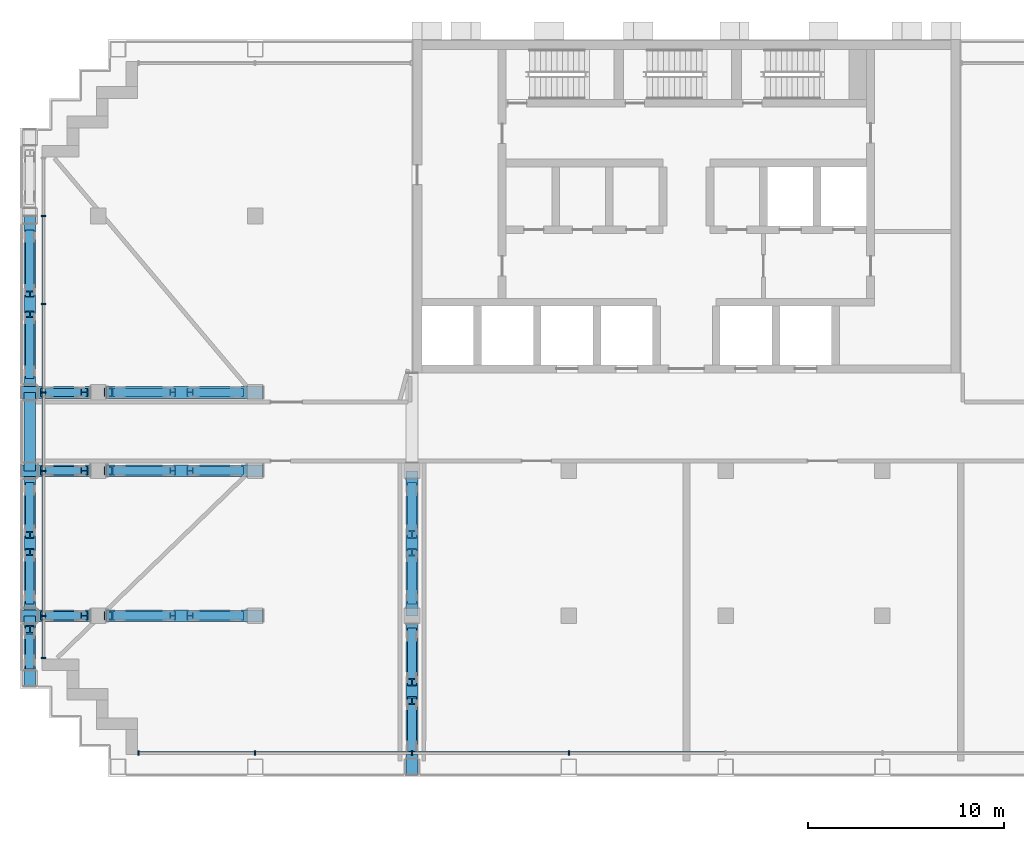
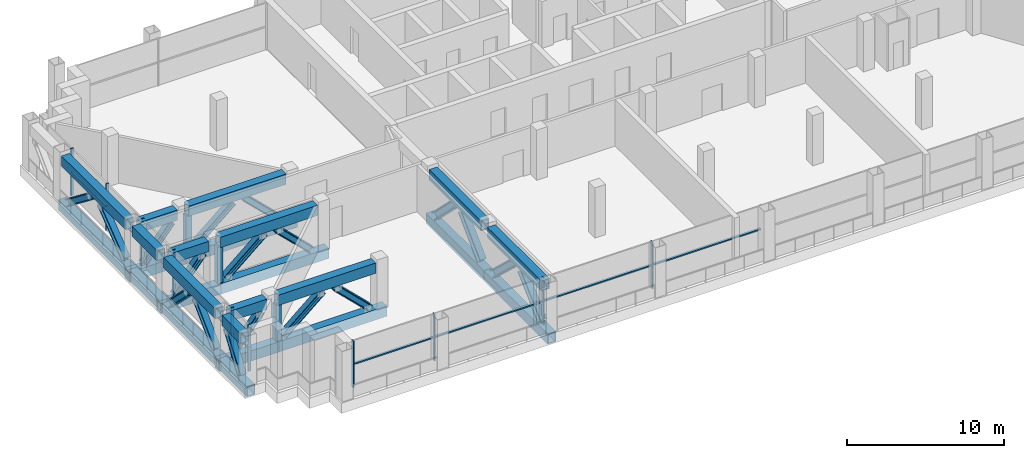
# One storey, part 2 of 25: 64 members, 2 elements without a shape of their own.
"""IFC4 building model written with IfcOpenShell, lengths in metres."""

from ifc_helpers import new_model, si_unit, direction, frame, origin, origin_2d, place, context, subcontext, project, spatial, rectangle, hollow_rectangle, i_section, extrude, material, material_profile, profile_set, type_object, element, aggregate, save


model = new_model("IFC4")

# Units and contexts
model_context = context("Model", 3, precision=1e-05, world=origin(), true_north=direction((0.0, 1.0)))
body_context = subcontext(model_context, "Body", "Model", "MODEL_VIEW")
ifc_project = project(units=[si_unit("LENGTHUNIT", "METRE"), si_unit("AREAUNIT", "SQUARE_METRE"), si_unit("VOLUMEUNIT", "CUBIC_METRE"), si_unit("PLANEANGLEUNIT", "RADIAN"), si_unit("MASSUNIT", "GRAM", prefix="KILO")], contexts=[model_context])

# Site, building, storey
site_placement = place(None, origin())
site = spatial("IfcSite", under=ifc_project, at=site_placement, CompositionType="ELEMENT")
building_placement = place(site_placement, origin())
building = spatial("IfcBuilding", under=site, at=building_placement, Name="Vidyagriha Tower", CompositionType="ELEMENT")
storey_placement = place(building_placement, frame((0.0, 0.0, 115.89990234375)))
storey = spatial("IfcBuildingStorey", under=building, at=storey_placement, Name="L29", CompositionType="ELEMENT", Elevation=115.89990234375)

# Members
ifc_material_1 = material(Name="Steel ASTM A572 Grade 50", Category="steel")
ifc_material_profile_1 = material_profile(ifc_material_1, hollow_rectangle(XDim=0.60009765625, YDim=0.800048828125, WallThickness=0.034912109375, at=origin_2d()), Name="BOX 800x600x35")
ifc_profile_set_1 = profile_set([ifc_material_profile_1], Name="Steel ASTM A572 Grade 50")
member_type_1 = type_object("IfcMemberType", Name="Belt truss chord BOX 800x600x35", PredefinedType="CHORD", material=ifc_profile_set_1)
member_1_placement = place(storey_placement, frame((-33.5, -13.0, -0.39990234375), z_axis=(0.0, 1.0, 0.0), x_axis=(-1.0, 0.0, 0.0)))
element("IfcMember", 1, at=member_1_placement, inside=storey, type_object=member_type_1, Name="st-truss-L29-B09-B00", PredefinedType="CHORD", context=body_context, shape_type="SweptSolid", body=[
    extrude(hollow_rectangle(XDim=0.60009765625, YDim=0.800048828125, WallThickness=0.034912109375, at=origin_2d()), origin(), (0.0, 0.0, 1.0), 3.60009765625),
])
member_2_placement = place(storey_placement, frame((-33.5, -12.180419921875, 3.22021484375), z_axis=(0.0, 1.0, 0.0), x_axis=(-1.0, 0.0, 0.0)))
element("IfcMember", 2, at=member_2_placement, inside=storey, type_object=member_type_1, Name="st-truss-L29-B09-T00", PredefinedType="CHORD", context=body_context, shape_type="SweptSolid", body=[
    extrude(hollow_rectangle(XDim=0.60009765625, YDim=0.800048828125, WallThickness=0.034912109375, at=origin_2d()), origin(), (0.0, 0.0, 1.0), 2.36083984375),
])
member_3_placement = place(storey_placement, frame((-33.5, -9.39990234375, -0.39990234375), z_axis=(0.0, 1.0, 0.0), x_axis=(-1.0, 0.0, 0.0)))
element("IfcMember", 3, at=member_3_placement, inside=storey, type_object=member_type_1, Name="st-truss-L29-B09-B01", PredefinedType="CHORD", context=body_context, shape_type="SweptSolid", body=[
    extrude(hollow_rectangle(XDim=0.60009765625, YDim=0.800048828125, WallThickness=0.034912109375, at=origin_2d()), origin(), (0.0, 0.0, 1.0), 7.39990234375),
])
member_4_placement = place(storey_placement, frame((-33.5, -8.98046875, 3.22021484375), z_axis=(0.0, 1.0, 0.0), x_axis=(-1.0, 0.0, 0.0)))
element("IfcMember", 4, at=member_4_placement, inside=storey, type_object=member_type_1, Name="st-truss-L29-B09-T01", PredefinedType="CHORD", context=body_context, shape_type="SweptSolid", body=[
    extrude(hollow_rectangle(XDim=0.60009765625, YDim=0.800048828125, WallThickness=0.034912109375, at=origin_2d()), origin(), (0.0, 0.0, 1.0), 6.56103515625),
])
member_5_placement = place(storey_placement, frame((-33.5, -2.0, -0.39990234375), z_axis=(0.0, 1.0, 0.0), x_axis=(-1.0, 0.0, 0.0)))
element("IfcMember", 5, at=member_5_placement, inside=storey, type_object=member_type_1, Name="st-truss-L29-B09-B02", PredefinedType="CHORD", context=body_context, shape_type="SweptSolid", body=[
    extrude(hollow_rectangle(XDim=0.60009765625, YDim=0.800048828125, WallThickness=0.034912109375, at=origin_2d()), origin(), (0.0, 0.0, 1.0), 4.0),
])
member_6_placement = place(storey_placement, frame((-33.5, -1.58056640625, 3.22021484375), z_axis=(0.0, 1.0, 0.0), x_axis=(-1.0, 0.0, 0.0)))
element("IfcMember", 6, at=member_6_placement, inside=storey, type_object=member_type_1, Name="st-truss-L29-B09-T02", PredefinedType="CHORD", context=body_context, shape_type="SweptSolid", body=[
    extrude(hollow_rectangle(XDim=0.60009765625, YDim=0.800048828125, WallThickness=0.034912109375, at=origin_2d()), origin(), (0.0, 0.0, 1.0), 3.1611328125),
])
member_7_placement = place(storey_placement, frame((-33.5, 2.0, -0.39990234375), z_axis=(0.0, 1.0, 0.0), x_axis=(-1.0, 0.0, 0.0)))
element("IfcMember", 7, at=member_7_placement, inside=storey, type_object=member_type_1, Name="st-truss-L29-B09-B03", PredefinedType="CHORD", context=body_context, shape_type="SweptSolid", body=[
    extrude(hollow_rectangle(XDim=0.60009765625, YDim=0.800048828125, WallThickness=0.034912109375, at=origin_2d()), origin(), (0.0, 0.0, 1.0), 8.98046875),
])
member_8_placement = place(storey_placement, frame((-33.5, 2.41943359375, 3.22021484375), z_axis=(0.0, 1.0, 0.0), x_axis=(-1.0, 0.0, 0.0)))
element("IfcMember", 8, at=member_8_placement, inside=storey, type_object=member_type_1, Name="st-truss-L29-B09-T03", PredefinedType="CHORD", context=body_context, shape_type="SweptSolid", body=[
    extrude(hollow_rectangle(XDim=0.60009765625, YDim=0.800048828125, WallThickness=0.034912109375, at=origin_2d()), origin(), (0.0, 0.0, 1.0), 8.1611328125),
])
ifc_material_2 = material(Name="Steel ASTM A913 Grade 65", Category="steel")
ifc_material_profile_2 = material_profile(ifc_material_2, i_section(OverallWidth=0.43701171875, OverallDepth=0.51318359375, WebThickness=0.046142578125, FlangeThickness=0.071533203125, at=origin_2d()), Name="W14X550")
ifc_profile_set_2 = profile_set([ifc_material_profile_2], Name="Steel ASTM A913 Grade 65")
member_type_2 = type_object("IfcMemberType", Name="Belt truss diagonal W14X550", PredefinedType="BRACE", material=ifc_profile_set_2)
member_9_placement = place(storey_placement, frame((-33.5, -11.894775390625, 0.1484375), z_axis=(0.0, 0.578509937621, 0.815675334967), x_axis=(-1.0, 0.0, 0.0)))
element("IfcMember", 9, at=member_9_placement, inside=storey, type_object=member_type_2, Name="st-truss-L29-B09-D000", PredefinedType="BRACE", context=body_context, shape_type="SweptSolid", body=[
    extrude(i_section(OverallWidth=0.43701171875, OverallDepth=0.51318359375, WebThickness=0.046142578125, FlangeThickness=0.071533203125, at=origin_2d()), origin(), (0.0, 0.0, 1.0), 3.09326171875),
])
for number, where, z_axis, x_axis, name in (
    (10, (-33.5, -8.61572265625, 0.182373046875), (0.0, 0.710838505182, 0.703355258423), (-1.0, 0.0, 0.0), "st-truss-L29-B09-D010"),
    (11, (-33.5, -5.265625, 2.6376953125), (0.0, 0.710838505182, -0.703355258423), (-1.0, 0.0, 0.0), "st-truss-L29-B09-D011"),
):
    element("IfcMember", number, at=place(storey_placement, frame(where, z_axis=z_axis, x_axis=x_axis)), inside=storey, type_object=member_type_2, Name=name, PredefinedType="BRACE", context=body_context, shape_type="SweptSolid", body=[
        extrude(i_section(OverallWidth=0.43701171875, OverallDepth=0.51318359375, WebThickness=0.046142578125, FlangeThickness=0.071533203125, at=origin_2d()), origin(), (0.0, 0.0, 1.0), 3.490966796875),
    ])
for number, where, z_axis, x_axis, name in (
    (12, (-33.5, 2.86279296875, 0.203125), (0.0, 0.791325794346, 0.611394706555), (-1.0, 0.0, 0.0), "st-truss-L29-B09-D030"),
    (13, (-33.5, 7.0126953125, 2.6171875), (0.0, 0.791325794346, -0.611394706555), (-1.0, 0.0, 0.0), "st-truss-L29-B09-D031"),
):
    element("IfcMember", number, at=place(storey_placement, frame(where, z_axis=z_axis, x_axis=x_axis)), inside=storey, type_object=member_type_2, Name=name, PredefinedType="BRACE", context=body_context, shape_type="SweptSolid", body=[
        extrude(i_section(OverallWidth=0.43701171875, OverallDepth=0.51318359375, WebThickness=0.046142578125, FlangeThickness=0.071533203125, at=origin_2d()), origin(), (0.0, 0.0, 1.0), 3.948486328125),
    ])

# Curtain wall, members
ifc_material_3 = material(Name="Aluminium and glass curtain wall", Category="aluminium")
curtain_wall_type = type_object("IfcCurtainWallType", Name="Plant louvre wall", PredefinedType="USERDEFINED", material=ifc_material_3)
curtain_wall_1_placement = place(storey_placement, origin())
curtain_wall_1 = element("IfcCurtainWall", 14, at=curtain_wall_1_placement, inside=storey, type_object=curtain_wall_type, Name="CW7 plant louvre wall", ObjectType="STICK GLAZING", PredefinedType="USERDEFINED")
ifc_material_4 = material(Name="Aluminium black anodised", Category="aluminium")
ifc_material_profile_3 = material_profile(ifc_material_4, rectangle(XDim=0.219970703125, YDim=0.080078125, at=origin_2d()), Name="Mullion 80x220 black aluminium")
ifc_profile_set_3 = profile_set([ifc_material_profile_3], Name="Aluminium black anodised")
member_type_3 = type_object("IfcMemberType", Name="Mullion 80x220 black aluminium", PredefinedType="MULLION", material=ifc_profile_set_3)
member_10_placement = place(storey_placement, frame((-32.800048828125, 11.0, 0.0)))
member_10 = element("IfcMember", 15, at=member_10_placement, type_object=member_type_3, Name="CW7 mullion 2", PredefinedType="MULLION", context=body_context, shape_type="SweptSolid", body=[
    extrude(rectangle(XDim=0.219970703125, YDim=0.080078125, at=origin_2d()), origin(), (0.0, 0.0, 1.0), 3.6201171875),
])
member_11_placement = place(storey_placement, frame((-32.800048828125, 6.5, 0.0)))
member_11 = element("IfcMember", 16, at=member_11_placement, type_object=member_type_3, Name="CW7 mullion 3", PredefinedType="MULLION", context=body_context, shape_type="SweptSolid", body=[
    extrude(rectangle(XDim=0.219970703125, YDim=0.080078125, at=origin_2d()), origin(), (0.0, 0.0, 1.0), 3.6201171875),
])
member_12_placement = place(storey_placement, frame((-32.800048828125, 2.0, 0.0)))
member_12 = element("IfcMember", 17, at=member_12_placement, type_object=member_type_3, Name="CW7 mullion 4", PredefinedType="MULLION", context=body_context, shape_type="SweptSolid", body=[
    extrude(rectangle(XDim=0.219970703125, YDim=0.080078125, at=origin_2d()), origin(), (0.0, 0.0, 1.0), 3.6201171875),
])
member_13_placement = place(storey_placement, frame((-32.800048828125, -2.0, 0.0)))
member_13 = element("IfcMember", 18, at=member_13_placement, type_object=member_type_3, Name="CW7 mullion 5", PredefinedType="MULLION", context=body_context, shape_type="SweptSolid", body=[
    extrude(rectangle(XDim=0.219970703125, YDim=0.080078125, at=origin_2d()), origin(), (0.0, 0.0, 1.0), 3.6201171875),
])
member_14_placement = place(storey_placement, frame((-32.800048828125, -9.39990234375, 0.0)))
member_14 = element("IfcMember", 19, at=member_14_placement, type_object=member_type_3, Name="CW7 mullion 6", PredefinedType="MULLION", context=body_context, shape_type="SweptSolid", body=[
    extrude(rectangle(XDim=0.219970703125, YDim=0.080078125, at=origin_2d()), origin(), (0.0, 0.0, 1.0), 3.6201171875),
])
member_15_placement = place(storey_placement, frame((-32.800048828125, -11.56005859375, 0.0)))
member_15 = element("IfcMember", 20, at=member_15_placement, type_object=member_type_3, Name="CW7 mullion 7", PredefinedType="MULLION", context=body_context, shape_type="SweptSolid", body=[
    extrude(rectangle(XDim=0.219970703125, YDim=0.080078125, at=origin_2d()), origin(), (0.0, 0.0, 1.0), 3.6201171875),
])

curtain_wall_2_placement = place(storey_placement, origin())
curtain_wall_2 = element("IfcCurtainWall", 21, at=curtain_wall_2_placement, inside=storey, type_object=curtain_wall_type, Name="CW7 plant louvre wall", ObjectType="STICK GLAZING", PredefinedType="USERDEFINED")
member_16_placement = place(storey_placement, frame((-27.9599609375, -16.39990234375, 0.0), z_axis=(0.0, 0.0, 1.0), x_axis=(0.0, 1.0, 0.0)))
member_16 = element("IfcMember", 22, at=member_16_placement, type_object=member_type_3, Name="CW7 mullion 1", PredefinedType="MULLION", context=body_context, shape_type="SweptSolid", body=[
    extrude(rectangle(XDim=0.219970703125, YDim=0.080078125, at=origin_2d()), origin(), (0.0, 0.0, 1.0), 3.6201171875),
])
member_17_placement = place(storey_placement, frame((-22.0, -16.39990234375, 0.0), z_axis=(0.0, 0.0, 1.0), x_axis=(0.0, 1.0, 0.0)))
member_17 = element("IfcMember", 23, at=member_17_placement, type_object=member_type_3, Name="CW7 mullion 2", PredefinedType="MULLION", context=body_context, shape_type="SweptSolid", body=[
    extrude(rectangle(XDim=0.219970703125, YDim=0.080078125, at=origin_2d()), origin(), (0.0, 0.0, 1.0), 3.6201171875),
])
member_18_placement = place(storey_placement, frame((-14.0, -16.39990234375, 0.0), z_axis=(0.0, 0.0, 1.0), x_axis=(0.0, 1.0, 0.0)))
member_18 = element("IfcMember", 24, at=member_18_placement, type_object=member_type_3, Name="CW7 mullion 3", PredefinedType="MULLION", context=body_context, shape_type="SweptSolid", body=[
    extrude(rectangle(XDim=0.219970703125, YDim=0.080078125, at=origin_2d()), origin(), (0.0, 0.0, 1.0), 3.6201171875),
])
member_19_placement = place(storey_placement, frame((-6.0, -16.39990234375, 0.0), z_axis=(0.0, 0.0, 1.0), x_axis=(0.0, 1.0, 0.0)))
member_19 = element("IfcMember", 25, at=member_19_placement, type_object=member_type_3, Name="CW7 mullion 4", PredefinedType="MULLION", context=body_context, shape_type="SweptSolid", body=[
    extrude(rectangle(XDim=0.219970703125, YDim=0.080078125, at=origin_2d()), origin(), (0.0, 0.0, 1.0), 3.6201171875),
])

# Members
ifc_material_5 = material(Name="Steel ASTM A572 Grade 50", Category="steel")
ifc_material_profile_4 = material_profile(ifc_material_5, hollow_rectangle(XDim=0.60009765625, YDim=0.800048828125, WallThickness=0.06005859375, at=origin_2d()), Name="BOX 800x600x60")
ifc_profile_set_4 = profile_set([ifc_material_profile_4], Name="Steel ASTM A572 Grade 50")
member_type_4 = type_object("IfcMemberType", Name="Outrigger truss chord BOX 800x600x60", PredefinedType="CHORD", material=ifc_profile_set_4)
member_20_placement = place(storey_placement, frame((-14.0, -17.5, -0.39990234375), z_axis=(0.0, 1.0, 0.0), x_axis=(-1.0, 0.0, 0.0)))
element("IfcMember", 26, at=member_20_placement, inside=storey, type_object=member_type_4, Name="st-truss-L29-O10-B00", PredefinedType="CHORD", context=body_context, shape_type="SweptSolid", body=[
    extrude(hollow_rectangle(XDim=0.60009765625, YDim=0.800048828125, WallThickness=0.06005859375, at=origin_2d()), origin(), (0.0, 0.0, 1.0), 8.10009765625),
])
member_21_placement = place(storey_placement, frame((-14.0, -16.680419921875, 3.22021484375), z_axis=(0.0, 1.0, 0.0), x_axis=(-1.0, 0.0, 0.0)))
element("IfcMember", 27, at=member_21_placement, inside=storey, type_object=member_type_4, Name="st-truss-L29-O10-T00", PredefinedType="CHORD", context=body_context, shape_type="SweptSolid", body=[
    extrude(hollow_rectangle(XDim=0.60009765625, YDim=0.800048828125, WallThickness=0.06005859375, at=origin_2d()), origin(), (0.0, 0.0, 1.0), 6.86083984375),
])
member_22_placement = place(storey_placement, frame((-14.0, -9.39990234375, -0.39990234375), z_axis=(0.0, 1.0, 0.0), x_axis=(-1.0, 0.0, 0.0)))
element("IfcMember", 28, at=member_22_placement, inside=storey, type_object=member_type_4, Name="st-truss-L29-O10-B01", PredefinedType="CHORD", context=body_context, shape_type="SweptSolid", body=[
    extrude(hollow_rectangle(XDim=0.60009765625, YDim=0.800048828125, WallThickness=0.06005859375, at=origin_2d()), origin(), (0.0, 0.0, 1.0), 7.39990234375),
])
member_23_placement = place(storey_placement, frame((-14.0, -8.98046875, 3.22021484375), z_axis=(0.0, 1.0, 0.0), x_axis=(-1.0, 0.0, 0.0)))
element("IfcMember", 29, at=member_23_placement, inside=storey, type_object=member_type_4, Name="st-truss-L29-O10-T01", PredefinedType="CHORD", context=body_context, shape_type="SweptSolid", body=[
    extrude(hollow_rectangle(XDim=0.60009765625, YDim=0.800048828125, WallThickness=0.06005859375, at=origin_2d()), origin(), (0.0, 0.0, 1.0), 6.56103515625),
])
ifc_material_6 = material(Name="Steel ASTM A913 Grade 65", Category="steel")
ifc_material_profile_5 = material_profile(ifc_material_6, i_section(OverallWidth=0.45458984375, OverallDepth=0.569091796875, WebThickness=0.0390625, FlangeThickness=0.077880859375, at=origin_2d()), Name="W14X730")
ifc_profile_set_5 = profile_set([ifc_material_profile_5], Name="Steel ASTM A913 Grade 65")
member_type_5 = type_object("IfcMemberType", Name="Outrigger truss diagonal W14X730", PredefinedType="BRACE", material=ifc_profile_set_5)
for number, where, z_axis, x_axis, name in (
    (30, (-14.0, -16.279541015625, 0.207275390625), (0.0, 0.728630444083, 0.684907056435), (-1.0, 0.0, 0.0), "st-truss-L29-O10-D000"),
    (31, (-14.0, -12.779541015625, 2.61279296875), (0.0, 0.728630444083, -0.684907056435), (-1.0, 0.0, 0.0), "st-truss-L29-O10-D001"),
):
    element("IfcMember", number, at=place(storey_placement, frame(where, z_axis=z_axis, x_axis=x_axis)), inside=storey, type_object=member_type_5, Name=name, PredefinedType="BRACE", context=body_context, shape_type="SweptSolid", body=[
        extrude(i_section(OverallWidth=0.45458984375, OverallDepth=0.569091796875, WebThickness=0.0390625, FlangeThickness=0.077880859375, at=origin_2d()), origin(), (0.0, 0.0, 1.0), 3.51220703125),
    ])
for number, where, z_axis, x_axis, name in (
    (32, (-14.0, -8.595703125, 0.202392578125), (0.0, 0.710864324893, 0.703329163049), (-1.0, 0.0, 0.0), "st-truss-L29-O10-D010"),
    (33, (-14.0, -5.24560546875, 2.617919921875), (0.0, 0.710829157766, -0.703364705164), (-1.0, 0.0, 0.0), "st-truss-L29-O10-D011"),
):
    element("IfcMember", number, at=place(storey_placement, frame(where, z_axis=z_axis, x_axis=x_axis)), inside=storey, type_object=member_type_5, Name=name, PredefinedType="BRACE", context=body_context, shape_type="SweptSolid", body=[
        extrude(i_section(OverallWidth=0.45458984375, OverallDepth=0.569091796875, WebThickness=0.0390625, FlangeThickness=0.077880859375, at=origin_2d()), origin(), (0.0, 0.0, 1.0), 3.434326171875),
    ])
ifc_material_7 = material(Name="Steel ASTM A572 Grade 50", Category="steel")
ifc_material_profile_6 = material_profile(ifc_material_7, hollow_rectangle(XDim=0.60009765625, YDim=0.800048828125, WallThickness=0.034912109375, at=origin_2d()), Name="BOX 800x600x35")
ifc_profile_set_6 = profile_set([ifc_material_profile_6], Name="Steel ASTM A572 Grade 50")
member_type_6 = type_object("IfcMemberType", Name="Transfer truss chord BOX 800x600x35", PredefinedType="CHORD", material=ifc_profile_set_6)
member_24_placement = place(storey_placement, frame((-33.89990234375, -9.39990234375, -0.39990234375), z_axis=(1.0, 0.0, 0.0), x_axis=(0.0, 1.0, 0.0)))
element("IfcMember", 34, at=member_24_placement, inside=storey, type_object=member_type_6, Name="st-truss-L29-T01-B00", PredefinedType="CHORD", context=body_context, shape_type="SweptSolid", body=[
    extrude(hollow_rectangle(XDim=0.60009765625, YDim=0.800048828125, WallThickness=0.034912109375, at=origin_2d()), origin(), (0.0, 0.0, 1.0), 4.38037109375),
])
member_25_placement = place(storey_placement, frame((-33.08056640625, -9.39990234375, 3.22021484375), z_axis=(1.0, 0.0, 0.0), x_axis=(0.0, 1.0, 0.0)))
element("IfcMember", 35, at=member_25_placement, inside=storey, type_object=member_type_6, Name="st-truss-L29-T01-T00", PredefinedType="CHORD", context=body_context, shape_type="SweptSolid", body=[
    extrude(hollow_rectangle(XDim=0.60009765625, YDim=0.800048828125, WallThickness=0.034912109375, at=origin_2d()), origin(), (0.0, 0.0, 1.0), 2.6611328125),
])
member_26_placement = place(storey_placement, frame((-29.574951171875, -9.39990234375, -0.39990234375), z_axis=(1.0, 0.0, 0.0), x_axis=(0.0, 1.0, 0.0)))
element("IfcMember", 36, at=member_26_placement, inside=storey, type_object=member_type_6, Name="st-truss-L29-T01-B02", PredefinedType="CHORD", context=body_context, shape_type="SweptSolid", body=[
    extrude(hollow_rectangle(XDim=0.60009765625, YDim=0.800048828125, WallThickness=0.034912109375, at=origin_2d()), origin(), (0.0, 0.0, 1.0), 7.974853515625),
])
member_27_placement = place(storey_placement, frame((-29.56494140625, -9.39990234375, 3.22021484375), z_axis=(1.0, 0.0, 0.0), x_axis=(0.0, 1.0, 0.0)))
element("IfcMember", 37, at=member_27_placement, inside=storey, type_object=member_type_6, Name="st-truss-L29-T01-T02", PredefinedType="CHORD", context=body_context, shape_type="SweptSolid", body=[
    extrude(hollow_rectangle(XDim=0.60009765625, YDim=0.800048828125, WallThickness=0.034912109375, at=origin_2d()), origin(), (0.0, 0.0, 1.0), 7.145751953125),
])
member_28_placement = place(storey_placement, frame((-33.89990234375, -2.0, -0.39990234375), z_axis=(1.0, 0.0, 0.0), x_axis=(0.0, 1.0, 0.0)))
element("IfcMember", 38, at=member_28_placement, inside=storey, type_object=member_type_6, Name="st-truss-L29-T03-B00", PredefinedType="CHORD", context=body_context, shape_type="SweptSolid", body=[
    extrude(hollow_rectangle(XDim=0.60009765625, YDim=0.800048828125, WallThickness=0.034912109375, at=origin_2d()), origin(), (0.0, 0.0, 1.0), 4.38037109375),
])
member_29_placement = place(storey_placement, frame((-33.08056640625, -2.0, 3.22021484375), z_axis=(1.0, 0.0, 0.0), x_axis=(0.0, 1.0, 0.0)))
element("IfcMember", 39, at=member_29_placement, inside=storey, type_object=member_type_6, Name="st-truss-L29-T03-T00", PredefinedType="CHORD", context=body_context, shape_type="SweptSolid", body=[
    extrude(hollow_rectangle(XDim=0.60009765625, YDim=0.800048828125, WallThickness=0.034912109375, at=origin_2d()), origin(), (0.0, 0.0, 1.0), 2.6611328125),
])
member_30_placement = place(storey_placement, frame((-29.574951171875, -2.0, -0.39990234375), z_axis=(1.0, 0.0, 0.0), x_axis=(0.0, 1.0, 0.0)))
element("IfcMember", 40, at=member_30_placement, inside=storey, type_object=member_type_6, Name="st-truss-L29-T03-B02", PredefinedType="CHORD", context=body_context, shape_type="SweptSolid", body=[
    extrude(hollow_rectangle(XDim=0.60009765625, YDim=0.800048828125, WallThickness=0.034912109375, at=origin_2d()), origin(), (0.0, 0.0, 1.0), 7.974853515625),
])
member_31_placement = place(storey_placement, frame((-29.56494140625, -2.0, 3.22021484375), z_axis=(1.0, 0.0, 0.0), x_axis=(0.0, 1.0, 0.0)))
element("IfcMember", 41, at=member_31_placement, inside=storey, type_object=member_type_6, Name="st-truss-L29-T03-T02", PredefinedType="CHORD", context=body_context, shape_type="SweptSolid", body=[
    extrude(hollow_rectangle(XDim=0.60009765625, YDim=0.800048828125, WallThickness=0.034912109375, at=origin_2d()), origin(), (0.0, 0.0, 1.0), 7.145751953125),
])
member_32_placement = place(storey_placement, frame((-33.89990234375, 2.0, -0.39990234375), z_axis=(1.0, 0.0, 0.0), x_axis=(0.0, 1.0, 0.0)))
element("IfcMember", 42, at=member_32_placement, inside=storey, type_object=member_type_6, Name="st-truss-L29-T05-B00", PredefinedType="CHORD", context=body_context, shape_type="SweptSolid", body=[
    extrude(hollow_rectangle(XDim=0.60009765625, YDim=0.800048828125, WallThickness=0.034912109375, at=origin_2d()), origin(), (0.0, 0.0, 1.0), 4.38037109375),
])
member_33_placement = place(storey_placement, frame((-33.08056640625, 2.0, 3.22021484375), z_axis=(1.0, 0.0, 0.0), x_axis=(0.0, 1.0, 0.0)))
element("IfcMember", 43, at=member_33_placement, inside=storey, type_object=member_type_6, Name="st-truss-L29-T05-T00", PredefinedType="CHORD", context=body_context, shape_type="SweptSolid", body=[
    extrude(hollow_rectangle(XDim=0.60009765625, YDim=0.800048828125, WallThickness=0.034912109375, at=origin_2d()), origin(), (0.0, 0.0, 1.0), 2.6611328125),
])
member_34_placement = place(storey_placement, frame((-29.574951171875, 2.0, -0.39990234375), z_axis=(1.0, 0.0, 0.0), x_axis=(0.0, 1.0, 0.0)))
element("IfcMember", 44, at=member_34_placement, inside=storey, type_object=member_type_6, Name="st-truss-L29-T05-B02", PredefinedType="CHORD", context=body_context, shape_type="SweptSolid", body=[
    extrude(hollow_rectangle(XDim=0.60009765625, YDim=0.800048828125, WallThickness=0.034912109375, at=origin_2d()), origin(), (0.0, 0.0, 1.0), 7.974853515625),
])
member_35_placement = place(storey_placement, frame((-29.56494140625, 2.0, 3.22021484375), z_axis=(1.0, 0.0, 0.0), x_axis=(0.0, 1.0, 0.0)))
element("IfcMember", 45, at=member_35_placement, inside=storey, type_object=member_type_6, Name="st-truss-L29-T05-T02", PredefinedType="CHORD", context=body_context, shape_type="SweptSolid", body=[
    extrude(hollow_rectangle(XDim=0.60009765625, YDim=0.800048828125, WallThickness=0.034912109375, at=origin_2d()), origin(), (0.0, 0.0, 1.0), 7.145751953125),
])
ifc_material_8 = material(Name="Steel ASTM A913 Grade 65", Category="steel")
ifc_material_profile_7 = material_profile(ifc_material_8, i_section(OverallWidth=0.421630859375, OverallDepth=0.46484375, WebThickness=0.030029296875, FlangeThickness=0.052978515625, at=origin_2d()), Name="W14X398")
ifc_profile_set_7 = profile_set([ifc_material_profile_7], Name="Steel ASTM A913 Grade 65")
member_type_7 = type_object("IfcMemberType", Name="Transfer truss diagonal W14X398", PredefinedType="BRACE", material=ifc_profile_set_7)
member_36_placement = place(storey_placement, frame((-32.7802734375, -9.39990234375, 0.14697265625), z_axis=(0.632082943831, 0.0, 0.774900736945), x_axis=(0.0, 1.0, 0.0)))
element("IfcMember", 46, at=member_36_placement, inside=storey, type_object=member_type_7, Name="st-truss-L29-T01-D000", PredefinedType="BRACE", context=body_context, shape_type="SweptSolid", body=[
    extrude(i_section(OverallWidth=0.421630859375, OverallDepth=0.46484375, WebThickness=0.030029296875, FlangeThickness=0.052978515625, at=origin_2d()), origin(), (0.0, 0.0, 1.0), 3.260009765625),
])
member_37_placement = place(storey_placement, frame((-29.09326171875, -9.39990234375, 0.1767578125), z_axis=(0.760240685723, 0.0, 0.649641516355), x_axis=(0.0, 1.0, 0.0)))
element("IfcMember", 47, at=member_37_placement, inside=storey, type_object=member_type_7, Name="st-truss-L29-T01-D020", PredefinedType="BRACE", context=body_context, shape_type="SweptSolid", body=[
    extrude(i_section(OverallWidth=0.421630859375, OverallDepth=0.46484375, WebThickness=0.030029296875, FlangeThickness=0.052978515625, at=origin_2d()), origin(), (0.0, 0.0, 1.0), 3.796875),
])
member_38_placement = place(storey_placement, frame((-25.32861328125, -9.39990234375, 2.653564453125), z_axis=(0.716927451047, 0.0, -0.697147781992), x_axis=(0.0, 1.0, 0.0)))
element("IfcMember", 48, at=member_38_placement, inside=storey, type_object=member_type_7, Name="st-truss-L29-T01-D021", PredefinedType="BRACE", context=body_context, shape_type="SweptSolid", body=[
    extrude(i_section(OverallWidth=0.421630859375, OverallDepth=0.46484375, WebThickness=0.030029296875, FlangeThickness=0.052978515625, at=origin_2d()), origin(), (0.0, 0.0, 1.0), 3.567138671875),
])
member_39_placement = place(storey_placement, frame((-32.7802734375, -2.0, 0.14697265625), z_axis=(0.632082943831, 0.0, 0.774900736945), x_axis=(0.0, 1.0, 0.0)))
element("IfcMember", 49, at=member_39_placement, inside=storey, type_object=member_type_7, Name="st-truss-L29-T03-D000", PredefinedType="BRACE", context=body_context, shape_type="SweptSolid", body=[
    extrude(i_section(OverallWidth=0.421630859375, OverallDepth=0.46484375, WebThickness=0.030029296875, FlangeThickness=0.052978515625, at=origin_2d()), origin(), (0.0, 0.0, 1.0), 3.260009765625),
])
member_40_placement = place(storey_placement, frame((-29.09326171875, -2.0, 0.1767578125), z_axis=(0.760240685723, 0.0, 0.649641516355), x_axis=(0.0, 1.0, 0.0)))
element("IfcMember", 50, at=member_40_placement, inside=storey, type_object=member_type_7, Name="st-truss-L29-T03-D020", PredefinedType="BRACE", context=body_context, shape_type="SweptSolid", body=[
    extrude(i_section(OverallWidth=0.421630859375, OverallDepth=0.46484375, WebThickness=0.030029296875, FlangeThickness=0.052978515625, at=origin_2d()), origin(), (0.0, 0.0, 1.0), 3.796875),
])
member_41_placement = place(storey_placement, frame((-25.32861328125, -2.0, 2.653564453125), z_axis=(0.716927451047, 0.0, -0.697147781992), x_axis=(0.0, 1.0, 0.0)))
element("IfcMember", 51, at=member_41_placement, inside=storey, type_object=member_type_7, Name="st-truss-L29-T03-D021", PredefinedType="BRACE", context=body_context, shape_type="SweptSolid", body=[
    extrude(i_section(OverallWidth=0.421630859375, OverallDepth=0.46484375, WebThickness=0.030029296875, FlangeThickness=0.052978515625, at=origin_2d()), origin(), (0.0, 0.0, 1.0), 3.567138671875),
])
member_42_placement = place(storey_placement, frame((-32.7802734375, 2.0, 0.14697265625), z_axis=(0.632082943831, 0.0, 0.774900736945), x_axis=(0.0, 1.0, 0.0)))
element("IfcMember", 52, at=member_42_placement, inside=storey, type_object=member_type_7, Name="st-truss-L29-T05-D000", PredefinedType="BRACE", context=body_context, shape_type="SweptSolid", body=[
    extrude(i_section(OverallWidth=0.421630859375, OverallDepth=0.46484375, WebThickness=0.030029296875, FlangeThickness=0.052978515625, at=origin_2d()), origin(), (0.0, 0.0, 1.0), 3.260009765625),
])
member_43_placement = place(storey_placement, frame((-29.09326171875, 2.0, 0.1767578125), z_axis=(0.760240685723, 0.0, 0.649641516355), x_axis=(0.0, 1.0, 0.0)))
element("IfcMember", 53, at=member_43_placement, inside=storey, type_object=member_type_7, Name="st-truss-L29-T05-D020", PredefinedType="BRACE", context=body_context, shape_type="SweptSolid", body=[
    extrude(i_section(OverallWidth=0.421630859375, OverallDepth=0.46484375, WebThickness=0.030029296875, FlangeThickness=0.052978515625, at=origin_2d()), origin(), (0.0, 0.0, 1.0), 3.796875),
])
member_44_placement = place(storey_placement, frame((-25.32861328125, 2.0, 2.653564453125), z_axis=(0.716927451047, 0.0, -0.697147781992), x_axis=(0.0, 1.0, 0.0)))
element("IfcMember", 54, at=member_44_placement, inside=storey, type_object=member_type_7, Name="st-truss-L29-T05-D021", PredefinedType="BRACE", context=body_context, shape_type="SweptSolid", body=[
    extrude(i_section(OverallWidth=0.421630859375, OverallDepth=0.46484375, WebThickness=0.030029296875, FlangeThickness=0.052978515625, at=origin_2d()), origin(), (0.0, 0.0, 1.0), 3.567138671875),
])
ifc_material_9 = material(Name="Steel ASTM A500 Grade C", Category="steel")
ifc_material_profile_8 = material_profile(ifc_material_9, hollow_rectangle(XDim=0.406494140625, YDim=0.406494140625, WallThickness=0.017822265625, at=origin_2d()), Name="HSS16X16X3/4")
ifc_profile_set_8 = profile_set([ifc_material_profile_8], Name="Steel ASTM A500 Grade C")
member_type_8 = type_object("IfcMemberType", Name="Transfer truss post HSS16X16X3/4", PredefinedType="POST", material=ifc_profile_set_8)
for number, where, name in (
    (55, (-29.5, -9.39990234375, 0.0), "st-truss-L29-T01-P02"),
    (56, (-29.5, -2.0, 0.0), "st-truss-L29-T03-P02"),
    (57, (-29.5, 2.0, 0.0), "st-truss-L29-T05-P02"),
):
    element("IfcMember", number, at=place(storey_placement, frame(where)), inside=storey, type_object=member_type_8, Name=name, PredefinedType="POST", context=body_context, shape_type="SweptSolid", body=[
        extrude(hollow_rectangle(XDim=0.406494140625, YDim=0.406494140625, WallThickness=0.017822265625, at=origin_2d()), origin(), (0.0, 0.0, 1.0), 2.820068359375),
    ])

# Member
ifc_material_10 = material(Name="Aluminium black anodised", Category="aluminium")
ifc_material_profile_9 = material_profile(ifc_material_10, rectangle(XDim=0.159912109375, YDim=0.10009765625, at=origin_2d()), Name="Transom 100x160 black aluminium")
ifc_profile_set_9 = profile_set([ifc_material_profile_9], Name="Aluminium black anodised")
member_type_9 = type_object("IfcMemberType", Name="Transom 100x160 black aluminium", PredefinedType="USERDEFINED", material=ifc_profile_set_9)
member_45_placement = place(storey_placement, frame((-32.800048828125, 10.9599609375, 1.81005859375), z_axis=(0.0, -1.0, 0.0), x_axis=(1.0, 0.0, 0.0)))
member_45 = element("IfcMember", 58, at=member_45_placement, type_object=member_type_9, Name="CW7 transom 2.1", ObjectType="TRANSOM", PredefinedType="USERDEFINED", context=body_context, shape_type="SweptSolid", body=[
    extrude(rectangle(XDim=0.159912109375, YDim=0.10009765625, at=origin_2d()), origin(), (0.0, 0.0, 1.0), 4.419921875),
])

member_46_placement = place(storey_placement, frame((-32.800048828125, 6.4599609375, 1.81005859375), z_axis=(0.0, -1.0, 0.0), x_axis=(1.0, 0.0, 0.0)))
member_46 = element("IfcMember", 59, at=member_46_placement, type_object=member_type_9, Name="CW7 transom 3.1", ObjectType="TRANSOM", PredefinedType="USERDEFINED", context=body_context, shape_type="SweptSolid", body=[
    extrude(rectangle(XDim=0.159912109375, YDim=0.10009765625, at=origin_2d()), origin(), (0.0, 0.0, 1.0), 4.419921875),
])

member_47_placement = place(storey_placement, frame((-32.800048828125, 1.9599609375, 1.81005859375), z_axis=(0.0, -1.0, 0.0), x_axis=(1.0, 0.0, 0.0)))
member_47 = element("IfcMember", 60, at=member_47_placement, type_object=member_type_9, Name="CW7 transom 4.1", ObjectType="TRANSOM", PredefinedType="USERDEFINED", context=body_context, shape_type="SweptSolid", body=[
    extrude(rectangle(XDim=0.159912109375, YDim=0.10009765625, at=origin_2d()), origin(), (0.0, 0.0, 1.0), 3.919921875),
])

member_48_placement = place(storey_placement, frame((-32.800048828125, -2.0400390625, 1.81005859375), z_axis=(0.0, -1.0, 0.0), x_axis=(1.0, 0.0, 0.0)))
member_48 = element("IfcMember", 61, at=member_48_placement, type_object=member_type_9, Name="CW7 transom 5.1", ObjectType="TRANSOM", PredefinedType="USERDEFINED", context=body_context, shape_type="SweptSolid", body=[
    extrude(rectangle(XDim=0.159912109375, YDim=0.10009765625, at=origin_2d()), origin(), (0.0, 0.0, 1.0), 7.320068359375),
])

member_49_placement = place(storey_placement, frame((-32.800048828125, -9.43994140625, 1.81005859375), z_axis=(0.0, -1.0, 0.0), x_axis=(1.0, 0.0, 0.0)))
member_49 = element("IfcMember", 62, at=member_49_placement, type_object=member_type_9, Name="CW7 transom 6.1", ObjectType="TRANSOM", PredefinedType="USERDEFINED", context=body_context, shape_type="SweptSolid", body=[
    extrude(rectangle(XDim=0.159912109375, YDim=0.10009765625, at=origin_2d()), origin(), (0.0, 0.0, 1.0), 2.080078125),
])

aggregate(curtain_wall_1, [member_10, member_11, member_12, member_13, member_14, member_15, member_45, member_46, member_47, member_48, member_49])

member_50_placement = place(storey_placement, frame((-27.919921875, -16.39990234375, 1.81005859375), z_axis=(1.0, 0.0, 0.0), x_axis=(0.0, 1.0, 0.0)))
member_50 = element("IfcMember", 63, at=member_50_placement, type_object=member_type_9, Name="CW7 transom 1.1", ObjectType="TRANSOM", PredefinedType="USERDEFINED", context=body_context, shape_type="SweptSolid", body=[
    extrude(rectangle(XDim=0.159912109375, YDim=0.10009765625, at=origin_2d()), origin(), (0.0, 0.0, 1.0), 5.8798828125),
])

member_51_placement = place(storey_placement, frame((-21.9599609375, -16.39990234375, 1.81005859375), z_axis=(1.0, 0.0, 0.0), x_axis=(0.0, 1.0, 0.0)))
member_51 = element("IfcMember", 64, at=member_51_placement, type_object=member_type_9, Name="CW7 transom 2.1", ObjectType="TRANSOM", PredefinedType="USERDEFINED", context=body_context, shape_type="SweptSolid", body=[
    extrude(rectangle(XDim=0.159912109375, YDim=0.10009765625, at=origin_2d()), origin(), (0.0, 0.0, 1.0), 7.919921875),
])

member_52_placement = place(storey_placement, frame((-13.9599609375, -16.39990234375, 1.81005859375), z_axis=(1.0, 0.0, 0.0), x_axis=(0.0, 1.0, 0.0)))
member_52 = element("IfcMember", 65, at=member_52_placement, type_object=member_type_9, Name="CW7 transom 3.1", ObjectType="TRANSOM", PredefinedType="USERDEFINED", context=body_context, shape_type="SweptSolid", body=[
    extrude(rectangle(XDim=0.159912109375, YDim=0.10009765625, at=origin_2d()), origin(), (0.0, 0.0, 1.0), 7.919921875),
])

member_53_placement = place(storey_placement, frame((-5.9599609375, -16.39990234375, 1.81005859375), z_axis=(1.0, 0.0, 0.0), x_axis=(0.0, 1.0, 0.0)))
member_53 = element("IfcMember", 66, at=member_53_placement, type_object=member_type_9, Name="CW7 transom 4.1", ObjectType="TRANSOM", PredefinedType="USERDEFINED", context=body_context, shape_type="SweptSolid", body=[
    extrude(rectangle(XDim=0.159912109375, YDim=0.10009765625, at=origin_2d()), origin(), (0.0, 0.0, 1.0), 7.919921875),
])

aggregate(curtain_wall_2, [member_16, member_17, member_18, member_19, member_50, member_51, member_52, member_53])

save(model, "model.ifc")
